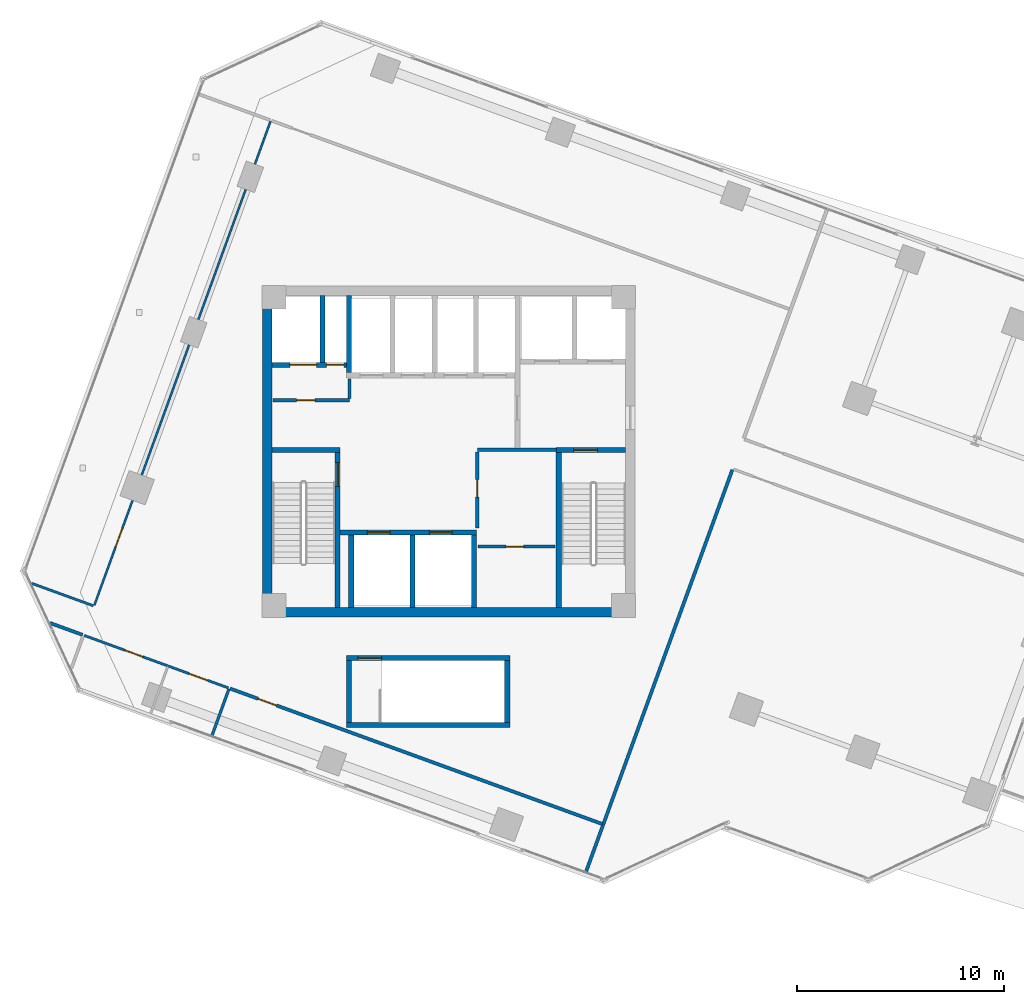
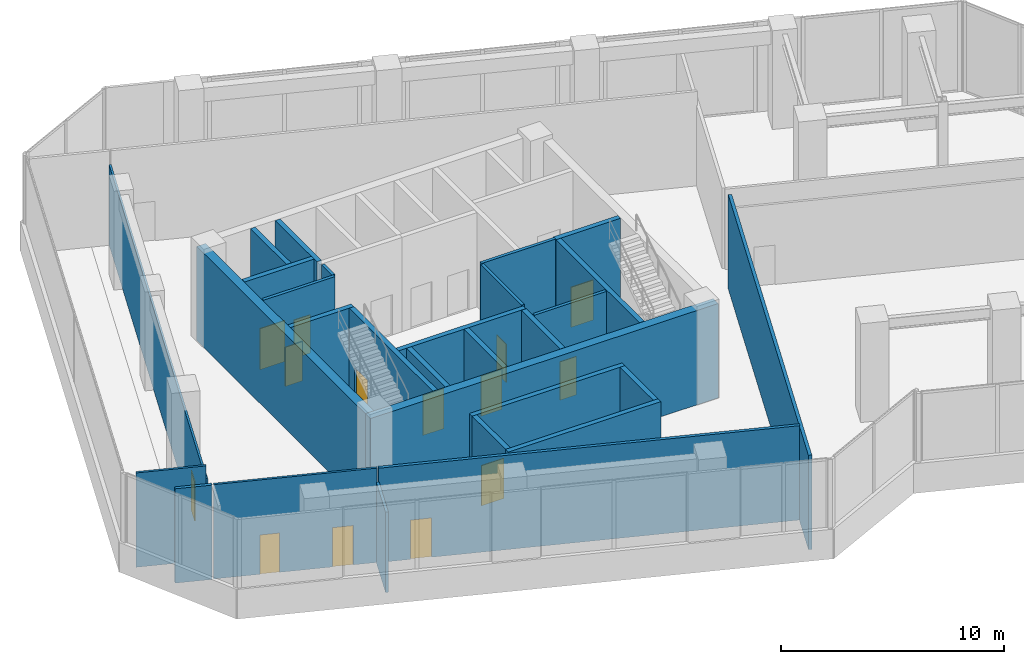
# One storey, part 16 of 21: 29 walls, 14 doors, 14 openings.
"""IFC4 building model written with IfcOpenShell, lengths in metres."""

from ifc_helpers import new_model, si_unit, direction, frame, frame_2d, origin, place, context, subcontext, project, spatial, rectangle, extrude, source, transform, mapped, material, layer, layer_set, type_object, element, fill, save


model = new_model("IFC4")

# Units and contexts
model_context = context("Model", 3, precision=1e-05, world=origin(), true_north=direction((0.0, 1.0)))
body_context = subcontext(model_context, "Body", "Model", "MODEL_VIEW")
ifc_project = project(units=[si_unit("LENGTHUNIT", "METRE"), si_unit("AREAUNIT", "SQUARE_METRE"), si_unit("VOLUMEUNIT", "CUBIC_METRE"), si_unit("PLANEANGLEUNIT", "RADIAN"), si_unit("MASSUNIT", "GRAM", prefix="KILO")], contexts=[model_context])

# Site, building, storey
site_placement = place(None, origin())
site = spatial("IfcSite", under=ifc_project, at=site_placement, CompositionType="ELEMENT")
building_placement = place(site_placement, origin())
building = spatial("IfcBuilding", under=site, at=building_placement, Name="Torre Montelarca", CompositionType="ELEMENT")
storey_placement = place(building_placement, frame((0.0, 0.0, 127.60009765625)))
storey = spatial("IfcBuildingStorey", under=building, at=storey_placement, Name="L28", CompositionType="ELEMENT", Elevation=127.60009765625)

# Wall, opening, door
ifc_material_1 = material(Name="Concrete C40/50", Category="concrete")
ifc_layer_1 = layer(ifc_material_1, 0.25, Name="Concrete C40/50", Category="concrete")
ifc_layer_set_1 = layer_set([ifc_layer_1], Name="Concrete C40/50")
wall_type_1 = type_object("IfcWallType", Name="CW-SHAFT-250", PredefinedType="SHEAR", material=ifc_layer_set_1)
wall_1_placement = place(storey_placement, frame((12.625, 24.4599609375, 0.0), z_axis=(0.0, 0.0, 1.0), x_axis=(0.0, 1.0, 0.0)))
wall_1 = element("IfcWall", 1, at=wall_1_placement, inside=storey, type_object=wall_type_1, Name="L28 Core Shear Wall SH-ST1-E", PredefinedType="SHEAR", context=body_context, shape_type="SweptSolid", body=[
    extrude(rectangle(XDim=7.489990234375, YDim=0.25, at=frame_2d((3.7451171875, 0.0))), origin(), (0.0, 0.0, 1.0), 5.159912109375),
])
opening_1_placement = place(wall_1_placement, frame((5.85009765625, 0.0, 0.0)))
opening_1 = element("IfcOpeningElement", 2, at=opening_1_placement, cuts=wall_1, Name="Opening FD-ST1", PredefinedType="OPENING", context=body_context, shape_type="SweptSolid", body=[
    extrude(rectangle(XDim=1.14990234375, YDim=2.199951171875, at=frame_2d((0.574951171875, 1.10009765625))), frame((0.0, 0.135009765625, 0.0), z_axis=(0.0, -1.0, 0.0), x_axis=(1.0, 0.0, 0.0)), (0.0, 0.0, 1.0), 0.27001953125),
])
ifc_material_2 = material(Name="Galvanized steel fire door", Category="steel")
door_type_1 = type_object("IfcDoorType", Name="DR-STAIR-115", OperationType="NOTDEFINED", PredefinedType="DOOR", material=ifc_material_2)
shared_shape_1 = source(origin(), body_context, "Body", "SweptSolid", [
    extrude(rectangle(XDim=1.14990234375, YDim=2.199951171875, at=frame_2d((0.574951171875, 1.10009765625))), frame((0.0, 0.02490234375, 0.0), z_axis=(0.0, -1.0, 0.0), x_axis=(1.0, 0.0, 0.0)), (0.0, 0.0, 1.0), 0.050048828125),
])
door_1_placement = place(opening_1_placement, origin())
door_1 = element("IfcDoor", 3, at=door_1_placement, inside=storey, type_object=door_type_1, Name="L28 Exit Stair ST1 Fire Door", OperationType="SINGLE_SWING_RIGHT", OverallHeight=2.199951171875, OverallWidth=1.14990234375, PredefinedType="DOOR", context=body_context, shape_type="MappedRepresentation", body=[
    mapped(shared_shape_1, transform((0.0, 0.0, 0.0), scale=1.0)),
])
fill(opening_1, door_1)

# Walls
wall_2_placement = place(storey_placement, frame((9.4599609375, 32.074951171875, 0.0), z_axis=(0.0, 0.0, 1.0), x_axis=(1.0, 0.0, 0.0)))
element("IfcWall", 4, at=wall_2_placement, inside=storey, type_object=wall_type_1, Name="L28 Core Shear Wall SH-ST1-N", PredefinedType="SHEAR", context=body_context, shape_type="SweptSolid", body=[
    extrude(rectangle(XDim=3.2900390625, YDim=0.25, at=frame_2d((1.64501953125, 0.0))), origin(), (0.0, 0.0, 1.0), 5.159912109375),
])
wall_3_placement = place(storey_placement, frame((23.31494140625, 24.4599609375, 0.0), z_axis=(0.0, 0.0, 1.0), x_axis=(0.0, 1.0, 0.0)))
element("IfcWall", 5, at=wall_3_placement, inside=storey, type_object=wall_type_1, Name="L28 Core Shear Wall SH-ST2-W", PredefinedType="SHEAR", context=body_context, shape_type="SweptSolid", body=[
    extrude(rectangle(XDim=7.489990234375, YDim=0.25, at=frame_2d((3.7451171875, 0.0))), origin(), (0.0, 0.0, 1.0), 5.159912109375),
])

# Wall, opening, door
wall_4_placement = place(storey_placement, frame((23.18994140625, 32.074951171875, 0.0), z_axis=(0.0, 0.0, 1.0), x_axis=(1.0, 0.0, 0.0)))
wall_4 = element("IfcWall", 6, at=wall_4_placement, inside=storey, type_object=wall_type_1, Name="L28 Core Shear Wall SH-ST2-N", PredefinedType="SHEAR", context=body_context, shape_type="SweptSolid", body=[
    extrude(rectangle(XDim=3.35009765625, YDim=0.25, at=frame_2d((1.675048828125, 0.0))), origin(), (0.0, 0.0, 1.0), 5.159912109375),
])
opening_2_placement = place(wall_4_placement, frame((0.85009765625, 0.0, 0.0)))
opening_2 = element("IfcOpeningElement", 7, at=opening_2_placement, cuts=wall_4, Name="Opening FD-ST1", PredefinedType="OPENING", context=body_context, shape_type="SweptSolid", body=[
    extrude(rectangle(XDim=1.14990234375, YDim=2.199951171875, at=frame_2d((0.574951171875, 1.10009765625))), frame((0.0, 0.135009765625, 0.0), z_axis=(0.0, -1.0, 0.0), x_axis=(1.0, 0.0, 0.0)), (0.0, 0.0, 1.0), 0.27001953125),
])
door_2_placement = place(opening_2_placement, origin())
door_2 = element("IfcDoor", 8, at=door_2_placement, inside=storey, type_object=door_type_1, Name="L28 Exit Stair ST2 Fire Door", OperationType="SINGLE_SWING_RIGHT", OverallHeight=2.199951171875, OverallWidth=1.14990234375, PredefinedType="DOOR", context=body_context, shape_type="MappedRepresentation", body=[
    mapped(shared_shape_1, transform((0.0, 0.0, 0.0), scale=1.0)),
])
fill(opening_2, door_2)

# Wall, openings, doors
wall_5_placement = place(storey_placement, frame((9.4599609375, 36.179931640625, 0.0), z_axis=(0.0, 0.0, 1.0), x_axis=(1.0, 0.0, 0.0)))
wall_5 = element("IfcWall", 9, at=wall_5_placement, inside=storey, type_object=wall_type_1, Name="L28 Core Shear Wall SH-SV1-S", PredefinedType="SHEAR", context=body_context, shape_type="SweptSolid", body=[
    extrude(rectangle(XDim=3.7900390625, YDim=0.25, at=frame_2d((1.89501953125, 0.0))), origin(), (0.0, 0.0, 1.0), 5.159912109375),
])
opening_3_placement = place(wall_5_placement, frame((2.6201171875, 0.0, 0.0)))
opening_3 = element("IfcOpeningElement", 10, at=opening_3_placement, cuts=wall_5, Name="Opening FD-085", PredefinedType="OPENING", context=body_context, shape_type="SweptSolid", body=[
    extrude(rectangle(XDim=0.85009765625, YDim=2.10009765625, at=frame_2d((0.425048828125, 1.050048828125))), frame((0.0, 0.135009765625, 0.0), z_axis=(0.0, -1.0, 0.0), x_axis=(1.0, 0.0, 0.0)), (0.0, 0.0, 1.0), 0.27001953125),
])
opening_4_placement = place(wall_5_placement, frame((0.85009765625, 0.0, 0.0)))
opening_4 = element("IfcOpeningElement", 11, at=opening_4_placement, cuts=wall_5, Name="Opening LD-130", PredefinedType="OPENING", context=body_context, shape_type="SweptSolid", body=[
    extrude(rectangle(XDim=1.300048828125, YDim=2.25, at=frame_2d((0.64990234375, 1.125))), frame((0.0, 0.135009765625, 0.0), z_axis=(0.0, -1.0, 0.0), x_axis=(1.0, 0.0, 0.0)), (0.0, 0.0, 1.0), 0.27001953125),
])
ifc_material_3 = material(Name="Steel riser access fire door", Category="steel")
door_type_2 = type_object("IfcDoorType", Name="DR-RISER-085", OperationType="NOTDEFINED", PredefinedType="DOOR", material=ifc_material_3)
shared_shape_2 = source(origin(), body_context, "Body", "SweptSolid", [
    extrude(rectangle(XDim=0.85009765625, YDim=2.10009765625, at=frame_2d((0.425048828125, 1.050048828125))), frame((0.0, 0.02490234375, 0.0), z_axis=(0.0, -1.0, 0.0), x_axis=(1.0, 0.0, 0.0)), (0.0, 0.0, 1.0), 0.050048828125),
])
door_3_placement = place(opening_3_placement, origin())
door_3 = element("IfcDoor", 12, at=door_3_placement, inside=storey, type_object=door_type_2, Name="L28 Electrical Riser Shaft Access Door", OperationType="SINGLE_SWING_RIGHT", OverallHeight=2.10009765625, OverallWidth=0.85009765625, PredefinedType="DOOR", context=body_context, shape_type="MappedRepresentation", body=[
    mapped(shared_shape_2, transform((0.0, 0.0, 0.0), scale=1.0)),
])
fill(opening_3, door_3)
ifc_material_4 = material(Name="Brushed stainless steel AISI 316", Category="steel")
door_type_3 = type_object("IfcDoorType", Name="DR-LIFT-130", OperationType="SLIDING_TO_LEFT", PredefinedType="DOOR", material=ifc_material_4)
shared_shape_3 = source(origin(), body_context, "Body", "SweptSolid", [
    extrude(rectangle(XDim=1.300048828125, YDim=2.25, at=frame_2d((0.64990234375, 1.125))), frame((0.0, 0.02490234375, 0.0), z_axis=(0.0, -1.0, 0.0), x_axis=(1.0, 0.0, 0.0)), (0.0, 0.0, 1.0), 0.050048828125),
])
door_4_placement = place(opening_4_placement, origin())
door_4 = element("IfcDoor", 13, at=door_4_placement, inside=storey, type_object=door_type_3, Name="L28 Lift Landing Sliding Door SV-1", OperationType="SLIDING_TO_LEFT", OverallHeight=2.25, OverallWidth=1.300048828125, PredefinedType="DOOR", context=body_context, shape_type="MappedRepresentation", body=[
    mapped(shared_shape_3, transform((0.0, 0.0, 0.0), scale=1.0)),
])
fill(opening_4, door_4)

# Wall
wall_6_placement = place(storey_placement, frame((11.89990234375, 36.31005859375, 0.0), z_axis=(0.0, 0.0, 1.0), x_axis=(0.0, 1.0, 0.0)))
element("IfcWall", 14, at=wall_6_placement, inside=storey, type_object=wall_type_1, Name="L28 Core Shear Wall SH-SV1-E", PredefinedType="SHEAR", context=body_context, shape_type="SweptSolid", body=[
    extrude(rectangle(XDim=3.22998046875, YDim=0.25, at=frame_2d((1.614990234375, 0.0))), origin(), (0.0, 0.0, 1.0), 5.159912109375),
])

# Wall, openings, doors
wall_7_placement = place(storey_placement, frame((12.6298828125, 28.080078125, 0.0), z_axis=(0.0, 0.0, 1.0), x_axis=(1.0, 0.0, 0.0)))
wall_7 = element("IfcWall", 15, at=wall_7_placement, inside=storey, type_object=wall_type_1, Name="L28 Core Shear Wall SH-PLL-N", PredefinedType="SHEAR", context=body_context, shape_type="SweptSolid", body=[
    extrude(rectangle(XDim=6.710205078125, YDim=0.25, at=frame_2d((3.35498046875, 0.0))), origin(), (0.0, 0.0, 1.0), 5.159912109375),
])
opening_5_placement = place(wall_7_placement, frame((1.429931640625, 0.0, 0.0)))
opening_5 = element("IfcOpeningElement", 16, at=opening_5_placement, cuts=wall_7, Name="Opening LD-110", PredefinedType="OPENING", context=body_context, shape_type="SweptSolid", body=[
    extrude(rectangle(XDim=1.10009765625, YDim=2.199951171875, at=frame_2d((0.550048828125, 1.10009765625))), frame((0.0, 0.135009765625, 0.0), z_axis=(0.0, -1.0, 0.0), x_axis=(1.0, 0.0, 0.0)), (0.0, 0.0, 1.0), 0.27001953125),
])
opening_6_placement = place(wall_7_placement, frame((4.429931640625, 0.0, 0.0)))
opening_6 = element("IfcOpeningElement", 17, at=opening_6_placement, cuts=wall_7, Name="Opening LD-110", PredefinedType="OPENING", context=body_context, shape_type="SweptSolid", body=[
    extrude(rectangle(XDim=1.10009765625, YDim=2.199951171875, at=frame_2d((0.550048828125, 1.10009765625))), frame((0.0, 0.135009765625, 0.0), z_axis=(0.0, -1.0, 0.0), x_axis=(1.0, 0.0, 0.0)), (0.0, 0.0, 1.0), 0.27001953125),
])
door_type_4 = type_object("IfcDoorType", Name="DR-LIFT-110", OperationType="SLIDING_TO_LEFT", PredefinedType="DOOR", material=ifc_material_4)
shared_shape_4 = source(origin(), body_context, "Body", "SweptSolid", [
    extrude(rectangle(XDim=1.10009765625, YDim=2.199951171875, at=frame_2d((0.550048828125, 1.10009765625))), frame((0.0, 0.02490234375, 0.0), z_axis=(0.0, -1.0, 0.0), x_axis=(1.0, 0.0, 0.0)), (0.0, 0.0, 1.0), 0.050048828125),
])
door_5_placement = place(opening_5_placement, origin())
door_5 = element("IfcDoor", 18, at=door_5_placement, inside=storey, type_object=door_type_4, Name="L28 Lift Landing Sliding Door PL-L1", OperationType="SLIDING_TO_LEFT", OverallHeight=2.199951171875, OverallWidth=1.10009765625, PredefinedType="DOOR", context=body_context, shape_type="MappedRepresentation", body=[
    mapped(shared_shape_4, transform((0.0, 0.0, 0.0), scale=1.0)),
])
fill(opening_5, door_5)
door_6_placement = place(opening_6_placement, origin())
door_6 = element("IfcDoor", 19, at=door_6_placement, inside=storey, type_object=door_type_4, Name="L28 Lift Landing Sliding Door PL-L2", OperationType="SLIDING_TO_RIGHT", OverallHeight=2.199951171875, OverallWidth=1.10009765625, PredefinedType="DOOR", context=body_context, shape_type="MappedRepresentation", body=[
    mapped(shared_shape_4, transform((0.0, 0.0, 0.0), scale=1.0)),
])
fill(opening_6, door_6)

# Walls
for number, where, z_axis, x_axis, name in (
    (20, (13.280029296875, 24.4599609375, 0.0), (0.0, 0.0, 1.0), (0.0, 1.0, 0.0), "L28 Core Shear Wall SH-PLL-W"),
    (21, (16.25, 24.4599609375, 0.0), (0.0, 0.0, 1.0), (0.0, 1.0, 0.0), "L28 Core Shear Wall SH-PLL-M"),
    (22, (19.219970703125, 24.4599609375, 0.0), (0.0, 0.0, 1.0), (0.0, 1.0, 0.0), "L28 Core Shear Wall SH-PLL-E"),
):
    element("IfcWall", number, at=place(storey_placement, frame(where, z_axis=z_axis, x_axis=x_axis)), inside=storey, type_object=wall_type_1, Name=name, PredefinedType="SHEAR", context=body_context, shape_type="SweptSolid", body=[
        extrude(rectangle(XDim=3.489990234375, YDim=0.25, at=frame_2d((1.7451171875, 0.0))), origin(), (0.0, 0.0, 1.0), 5.159912109375),
    ])
wall_8_placement = place(storey_placement, frame((13.179931640625, 35.81005859375, 0.0), z_axis=(0.0, 0.0, 1.0), x_axis=(0.0, 1.0, 0.0)))
element("IfcWall", 23, at=wall_8_placement, inside=storey, type_object=wall_type_1, Name="L28 Core Shear Wall SH-PLM-W", PredefinedType="SHEAR", context=body_context, shape_type="SweptSolid", body=[
    extrude(rectangle(XDim=3.72998046875, YDim=0.25, at=frame_2d((1.864990234375, 0.0))), origin(), (0.0, 0.0, 1.0), 5.159912109375),
])
for number, where, z_axis, x_axis, name in (
    (24, (13.175048828125, 18.89990234375, 0.0), (0.0, 0.0, 1.0), (0.0, 1.0, 0.0), "L28 Core Shear Wall SH-ST3-W"),
    (25, (20.824951171875, 18.89990234375, 0.0), (0.0, 0.0, 1.0), (0.0, 1.0, 0.0), "L28 Core Shear Wall SH-ST3-E"),
):
    element("IfcWall", number, at=place(storey_placement, frame(where, z_axis=z_axis, x_axis=x_axis)), inside=storey, type_object=wall_type_1, Name=name, PredefinedType="SHEAR", context=body_context, shape_type="SweptSolid", body=[
        extrude(rectangle(XDim=2.989990234375, YDim=0.25, at=frame_2d((1.4951171875, 0.0))), origin(), (0.0, 0.0, 1.0), 5.159912109375),
    ])
wall_9_placement = place(storey_placement, frame((13.050048828125, 18.77490234375, 0.0), z_axis=(0.0, 0.0, 1.0), x_axis=(1.0, 0.0, 0.0)))
element("IfcWall", 26, at=wall_9_placement, inside=storey, type_object=wall_type_1, Name="L28 Core Shear Wall SH-ST3-S", PredefinedType="SHEAR", context=body_context, shape_type="SweptSolid", body=[
    extrude(rectangle(XDim=7.89990234375, YDim=0.25, at=frame_2d((3.949951171875, 0.0))), origin(), (0.0, 0.0, 1.0), 5.159912109375),
])

# Wall, opening, door
wall_10_placement = place(storey_placement, frame((13.050048828125, 22.014892578125, 0.0), z_axis=(0.0, 0.0, 1.0), x_axis=(1.0, 0.0, 0.0)))
wall_10 = element("IfcWall", 27, at=wall_10_placement, inside=storey, type_object=wall_type_1, Name="L28 Core Shear Wall SH-ST3-N", PredefinedType="SHEAR", context=body_context, shape_type="SweptSolid", body=[
    extrude(rectangle(XDim=7.89990234375, YDim=0.25, at=frame_2d((3.949951171875, 0.0))), origin(), (0.0, 0.0, 1.0), 5.159912109375),
])
opening_7_placement = place(wall_10_placement, frame((0.550048828125, 0.0, 0.0)))
opening_7 = element("IfcOpeningElement", 28, at=opening_7_placement, cuts=wall_10, Name="Opening FD-ST1", PredefinedType="OPENING", context=body_context, shape_type="SweptSolid", body=[
    extrude(rectangle(XDim=1.14990234375, YDim=2.199951171875, at=frame_2d((0.574951171875, 1.10009765625))), frame((0.0, 0.135009765625, 0.0), z_axis=(0.0, -1.0, 0.0), x_axis=(1.0, 0.0, 0.0)), (0.0, 0.0, 1.0), 0.27001953125),
])
door_7_placement = place(opening_7_placement, origin())
door_7 = element("IfcDoor", 29, at=door_7_placement, inside=storey, type_object=door_type_1, Name="L28 Exit Stair ST3 Fire Door", OperationType="SINGLE_SWING_LEFT", OverallHeight=2.199951171875, OverallWidth=1.14990234375, PredefinedType="DOOR", context=body_context, shape_type="MappedRepresentation", body=[
    mapped(shared_shape_1, transform((0.0, 0.0, 0.0), scale=1.0)),
])
fill(opening_7, door_7)

# Walls
ifc_material_5 = material(Name="Concrete C55/67", Category="concrete")
ifc_layer_2 = layer(ifc_material_5, 0.449951171875, Name="Concrete C55/67", Category="concrete")
ifc_layer_set_2 = layer_set([ifc_layer_2], Name="Concrete C55/67")
wall_type_2 = type_object("IfcWallType", Name="CW-SHEAR-450", PredefinedType="SHEAR", material=ifc_layer_set_2)
wall_11_placement = place(storey_placement, frame((9.22509765625, 24.449951171875, 0.0), z_axis=(0.0, 0.0, 1.0), x_axis=(0.0, 1.0, 0.0)))
element("IfcWall", 30, at=wall_11_placement, inside=storey, type_object=wall_type_2, Name="L28 Core Shear Wall CW-W", PredefinedType="SHEAR", context=body_context, shape_type="SweptSolid", body=[
    extrude(rectangle(XDim=15.10009765625, YDim=0.449951171875, at=frame_2d((7.550048828125, 0.0))), origin(), (0.0, 0.0, 1.0), 5.159912109375),
])
wall_12_placement = place(storey_placement, frame((9.0, 24.22509765625, 0.0), z_axis=(0.0, 0.0, 1.0), x_axis=(1.0, 0.0, 0.0)))
element("IfcWall", 31, at=wall_12_placement, inside=storey, type_object=wall_type_2, Name="L28 Core Shear Wall CW-S1", PredefinedType="SHEAR", context=body_context, shape_type="SweptSolid", body=[
    extrude(rectangle(XDim=18.0, YDim=0.449951171875, at=frame_2d((9.0, 0.0))), origin(), (0.0, 0.0, 1.0), 5.159912109375),
])

# Wall, opening, door
ifc_material_6 = material(Name="Gypsum plasterboard on steel stud", Category="steel")
ifc_layer_3 = layer(ifc_material_6, 0.159912109375, Name="Gypsum plasterboard on steel stud", Category="steel")
ifc_layer_set_3 = layer_set([ifc_layer_3], Name="Gypsum plasterboard on steel stud")
wall_type_3 = type_object("IfcWallType", Name="PW-FIRE-160", PredefinedType="PARTITIONING", material=ifc_layer_set_3)
wall_13_placement = place(storey_placement, frame((9.489990234375, 34.47998046875, 0.0), z_axis=(0.0, 0.0, 1.0), x_axis=(1.0, 0.0, 0.0)))
wall_13 = element("IfcWall", 32, at=wall_13_placement, inside=storey, type_object=wall_type_3, Name="L28 Interior Partition CW-L28-SVS", PredefinedType="PARTITIONING", context=body_context, shape_type="SweptSolid", body=[
    extrude(rectangle(XDim=3.699951171875, YDim=0.159912109375, at=frame_2d((1.85009765625, 0.0))), origin(), (0.0, 0.0, 1.0), 5.159912109375),
])
opening_8_placement = place(wall_13_placement, frame((1.14990234375, 0.0, 0.0)))
opening_8 = element("IfcOpeningElement", 33, at=opening_8_placement, cuts=wall_13, Name="Opening FD-090", PredefinedType="OPENING", context=body_context, shape_type="SweptSolid", body=[
    extrude(rectangle(XDim=0.89990234375, YDim=2.14990234375, at=frame_2d((0.449951171875, 1.074951171875))), frame((0.0, 0.08984375, 0.0), z_axis=(0.0, -1.0, 0.0), x_axis=(1.0, 0.0, 0.0)), (0.0, 0.0, 1.0), 0.179931640625),
])
ifc_material_7 = material(Name="Steel service fire door", Category="steel")
door_type_5 = type_object("IfcDoorType", Name="DR-FIRE-090", OperationType="NOTDEFINED", PredefinedType="DOOR", material=ifc_material_7)
shared_shape_5 = source(origin(), body_context, "Body", "SweptSolid", [
    extrude(rectangle(XDim=0.89990234375, YDim=2.14990234375, at=frame_2d((0.449951171875, 1.074951171875))), frame((0.0, 0.02490234375, 0.0), z_axis=(0.0, -1.0, 0.0), x_axis=(1.0, 0.0, 0.0)), (0.0, 0.0, 1.0), 0.050048828125),
])
door_8_placement = place(opening_8_placement, origin())
door_8 = element("IfcDoor", 34, at=door_8_placement, inside=storey, type_object=door_type_5, Name="L28 Interior Door 01", OperationType="SINGLE_SWING_RIGHT", OverallHeight=2.14990234375, OverallWidth=0.89990234375, PredefinedType="DOOR", context=body_context, shape_type="MappedRepresentation", body=[
    mapped(shared_shape_5, transform((0.0, 0.0, 0.0), scale=1.0)),
])
fill(opening_8, door_8)

# Walls
wall_14_placement = place(storey_placement, frame((13.199951171875, 34.570068359375, 0.0), z_axis=(0.0, 0.0, 1.0), x_axis=(0.0, 1.0, 0.0)))
element("IfcWall", 35, at=wall_14_placement, inside=storey, type_object=wall_type_3, Name="L28 Interior Partition CW-L28-SVE", PredefinedType="PARTITIONING", context=body_context, shape_type="SweptSolid", body=[
    extrude(rectangle(XDim=0.93994140625, YDim=0.159912109375, at=frame_2d((0.469970703125, 0.0))), origin(), (0.0, 0.0, 1.0), 5.159912109375),
])
wall_15_placement = place(storey_placement, frame((19.389892578125, 32.080078125, 0.0), z_axis=(0.0, 0.0, 1.0), x_axis=(1.0, 0.0, 0.0)))
element("IfcWall", 36, at=wall_15_placement, inside=storey, type_object=wall_type_3, Name="L28 Interior Partition CW-L28-SEN", PredefinedType="PARTITIONING", context=body_context, shape_type="SweptSolid", body=[
    extrude(rectangle(XDim=3.820068359375, YDim=0.159912109375, at=frame_2d((1.91015625, 0.0))), origin(), (0.0, 0.0, 1.0), 5.159912109375),
])

# Wall, opening, door
wall_16_placement = place(storey_placement, frame((19.3798828125, 28.2900390625, 0.0), z_axis=(0.0, 0.0, 1.0), x_axis=(0.0, 1.0, 0.0)))
wall_16 = element("IfcWall", 37, at=wall_16_placement, inside=storey, type_object=wall_type_3, Name="L28 Interior Partition CW-L28-SEW", PredefinedType="PARTITIONING", context=body_context, shape_type="SweptSolid", body=[
    extrude(rectangle(XDim=3.669921875, YDim=0.159912109375, at=frame_2d((1.8349609375, 0.0))), origin(), (0.0, 0.0, 1.0), 5.159912109375),
])
opening_9_placement = place(wall_16_placement, frame((1.5, 0.0, 0.0)))
opening_9 = element("IfcOpeningElement", 38, at=opening_9_placement, cuts=wall_16, Name="Opening FD-085", PredefinedType="OPENING", context=body_context, shape_type="SweptSolid", body=[
    extrude(rectangle(XDim=0.85009765625, YDim=2.10009765625, at=frame_2d((0.425048828125, 1.050048828125))), frame((0.0, 0.08984375, 0.0), z_axis=(0.0, -1.0, 0.0), x_axis=(1.0, 0.0, 0.0)), (0.0, 0.0, 1.0), 0.179931640625),
])
door_9_placement = place(opening_9_placement, origin())
door_9 = element("IfcDoor", 39, at=door_9_placement, inside=storey, type_object=door_type_2, Name="L28 Interior Door 03", OperationType="SINGLE_SWING_RIGHT", OverallHeight=2.10009765625, OverallWidth=0.85009765625, PredefinedType="DOOR", context=body_context, shape_type="MappedRepresentation", body=[
    mapped(shared_shape_2, transform((0.0, 0.0, 0.0), scale=1.0)),
])
fill(opening_9, door_9)

wall_17_placement = place(storey_placement, frame((19.419921875, 27.39990234375, 0.0), z_axis=(0.0, 0.0, 1.0), x_axis=(1.0, 0.0, 0.0)))
wall_17 = element("IfcWall", 40, at=wall_17_placement, inside=storey, type_object=wall_type_3, Name="L28 Interior Partition CW-L28-SEM1", PredefinedType="PARTITIONING", context=body_context, shape_type="SweptSolid", body=[
    extrude(rectangle(XDim=3.719970703125, YDim=0.159912109375, at=frame_2d((1.85986328125, 0.0))), origin(), (0.0, 0.0, 1.0), 5.159912109375),
])
opening_10_placement = place(wall_17_placement, frame((1.35009765625, 0.0, 0.0)))
opening_10 = element("IfcOpeningElement", 41, at=opening_10_placement, cuts=wall_17, Name="Opening FD-085", PredefinedType="OPENING", context=body_context, shape_type="SweptSolid", body=[
    extrude(rectangle(XDim=0.85009765625, YDim=2.10009765625, at=frame_2d((0.425048828125, 1.050048828125))), frame((0.0, 0.08984375, 0.0), z_axis=(0.0, -1.0, 0.0), x_axis=(1.0, 0.0, 0.0)), (0.0, 0.0, 1.0), 0.179931640625),
])
door_10_placement = place(opening_10_placement, origin())
door_10 = element("IfcDoor", 42, at=door_10_placement, inside=storey, type_object=door_type_2, Name="L28 Interior Door 02", OperationType="SINGLE_SWING_LEFT", OverallHeight=2.10009765625, OverallWidth=0.85009765625, PredefinedType="DOOR", context=body_context, shape_type="MappedRepresentation", body=[
    mapped(shared_shape_2, transform((0.0, 0.0, 0.0), scale=1.0)),
])
fill(opening_10, door_10)

# Wall
wall_18_placement = place(storey_placement, frame((-1.2841796875, 23.7021484375, 0.0), z_axis=(0.0, 0.0, 1.0), x_axis=(0.939708634779, -0.341976142036, 0.0)))
element("IfcWall", 43, at=wall_18_placement, inside=storey, type_object=wall_type_3, Name="L28 Interior Partition W-L28-SOCCW", PredefinedType="PARTITIONING", context=body_context, shape_type="SweptSolid", body=[
    extrude(rectangle(XDim=1.681884765625, YDim=0.159912109375, at=frame_2d((0.8408203125, 0.0))), origin(), (0.0, 0.0, 1.0), 5.159912109375),
])

# Wall, opening, door
wall_19_placement = place(storey_placement, frame((7.41943359375, 20.534423828125, 0.0), z_axis=(0.0, 0.0, 1.0), x_axis=(0.939690753226, -0.34202527436, 0.0)))
wall_19 = element("IfcWall", 44, at=wall_19_placement, inside=storey, type_object=wall_type_3, Name="L28 Interior Partition W-L28-SOCCN", PredefinedType="PARTITIONING", context=body_context, shape_type="SweptSolid", body=[
    extrude(rectangle(XDim=19.170166015625, YDim=0.159912109375, at=frame_2d((9.5849609375, 0.0))), origin(), (0.0, 0.0, 1.0), 5.159912109375),
])
opening_11_placement = place(wall_19_placement, frame((1.449951171875, 0.0, 0.0)))
opening_11 = element("IfcOpeningElement", 45, at=opening_11_placement, cuts=wall_19, Name="Opening FD-095", PredefinedType="OPENING", context=body_context, shape_type="SweptSolid", body=[
    extrude(rectangle(XDim=0.949951171875, YDim=2.14990234375, at=frame_2d((0.47509765625, 1.074951171875))), frame((0.0, 0.08984375, 0.0), z_axis=(0.0, -1.0, 0.0), x_axis=(1.0, 0.0, 0.0)), (0.0, 0.0, 1.0), 0.179931640625),
])
ifc_material_8 = material(Name="Timber fire-rated room door", Category="wood")
door_type_6 = type_object("IfcDoorType", Name="DR-FIRE-095", OperationType="NOTDEFINED", PredefinedType="DOOR", material=ifc_material_8)
shared_shape_6 = source(origin(), body_context, "Body", "SweptSolid", [
    extrude(rectangle(XDim=0.949951171875, YDim=2.14990234375, at=frame_2d((0.47509765625, 1.074951171875))), frame((0.0, 0.02490234375, 0.0), z_axis=(0.0, -1.0, 0.0), x_axis=(1.0, 0.0, 0.0)), (0.0, 0.0, 1.0), 0.050048828125),
])
door_11_placement = place(opening_11_placement, origin())
door_11 = element("IfcDoor", 46, at=door_11_placement, inside=storey, type_object=door_type_6, Name="L28 Interior Door 06", OperationType="SINGLE_SWING_RIGHT", OverallHeight=2.14990234375, OverallWidth=0.949951171875, PredefinedType="DOOR", context=body_context, shape_type="MappedRepresentation", body=[
    mapped(shared_shape_6, transform((0.0, 0.0, 0.0), scale=1.0)),
])
fill(opening_11, door_11)

# Wall
wall_20_placement = place(storey_placement, frame((24.639892578125, 11.680908203125, 0.0), z_axis=(0.0, 0.0, 1.0), x_axis=(0.342014151498, 0.939694801611, 0.0)))
element("IfcWall", 47, at=wall_20_placement, inside=storey, type_object=wall_type_3, Name="L28 Interior Partition W-L28-ECS", PredefinedType="PARTITIONING", context=body_context, shape_type="SweptSolid", body=[
    extrude(rectangle(XDim=20.6796875, YDim=0.159912109375, at=frame_2d((10.33984375, 0.0))), origin(), (0.0, 0.0, 1.0), 5.159912109375),
])

# Wall, opening, door
ifc_material_9 = material(Name="Acoustic laminated glass partition", Category="glass")
ifc_layer_4 = layer(ifc_material_9, 0.10009765625, Name="Acoustic laminated glass partition", Category="glass")
ifc_layer_set_4 = layer_set([ifc_layer_4], Name="Acoustic laminated glass partition")
wall_type_4 = type_object("IfcWallType", Name="PW-GLAZ-100", PredefinedType="PARTITIONING", material=ifc_layer_set_4)
wall_21_placement = place(storey_placement, frame((0.86083984375, 24.560302734375, 0.0), z_axis=(0.0, 0.0, 1.0), x_axis=(0.342022409736, 0.939691795877, 0.0)))
wall_21 = element("IfcWall", 48, at=wall_21_placement, inside=storey, type_object=wall_type_4, Name="L28 Interior Partition W-L28-WWGE", PredefinedType="PARTITIONING", context=body_context, shape_type="SweptSolid", body=[
    extrude(rectangle(XDim=24.909912109375, YDim=0.10009765625, at=frame_2d((12.455078125, 0.0))), origin(), (0.0, 0.0, 1.0), 4.39501953125),
])
opening_12_placement = place(wall_21_placement, frame((3.0, 0.0, 0.0)))
opening_12 = element("IfcOpeningElement", 49, at=opening_12_placement, cuts=wall_21, Name="Opening ID-095", PredefinedType="OPENING", context=body_context, shape_type="SweptSolid", body=[
    extrude(rectangle(XDim=0.949951171875, YDim=2.14990234375, at=frame_2d((0.47509765625, 1.074951171875))), frame((0.0, 0.06005859375, 0.0), z_axis=(0.0, -1.0, 0.0), x_axis=(1.0, 0.0, 0.0)), (0.0, 0.0, 1.0), 0.1201171875),
])
ifc_material_10 = material(Name="Hardwood acoustic timber veneer", Category="wood")
door_type_7 = type_object("IfcDoorType", Name="DR-INT-095", OperationType="NOTDEFINED", PredefinedType="DOOR", material=ifc_material_10)
shared_shape_7 = source(origin(), body_context, "Body", "SweptSolid", [
    extrude(rectangle(XDim=0.949951171875, YDim=2.14990234375, at=frame_2d((0.47509765625, 1.074951171875))), frame((0.0, 0.02490234375, 0.0), z_axis=(0.0, -1.0, 0.0), x_axis=(1.0, 0.0, 0.0)), (0.0, 0.0, 1.0), 0.050048828125),
])
door_12_placement = place(opening_12_placement, origin())
door_12 = element("IfcDoor", 50, at=door_12_placement, inside=storey, type_object=door_type_7, Name="L28 Interior Door 08", OperationType="SINGLE_SWING_LEFT", OverallHeight=2.14990234375, OverallWidth=0.949951171875, PredefinedType="DOOR", context=body_context, shape_type="MappedRepresentation", body=[
    mapped(shared_shape_7, transform((0.0, 0.0, 0.0), scale=1.0)),
])
fill(opening_12, door_12)

# Wall, openings, doors
ifc_layer_5 = layer(ifc_material_6, 0.114990234375, Name="Gypsum plasterboard on steel stud", Category="steel")
ifc_layer_set_5 = layer_set([ifc_layer_5], Name="Gypsum plasterboard on steel stud")
wall_type_5 = type_object("IfcWallType", Name="PW-PART-115", PredefinedType="PARTITIONING", material=ifc_layer_set_5)
wall_22_placement = place(storey_placement, frame((0.37158203125, 23.099609375, 0.0), z_axis=(0.0, 0.0, 1.0), x_axis=(0.939692513883, -0.342020437038, 0.0)))
wall_22 = element("IfcWall", 51, at=wall_22_placement, inside=storey, type_object=wall_type_5, Name="L28 Interior Partition W-L28-WCN", PredefinedType="PARTITIONING", context=body_context, shape_type="SweptSolid", body=[
    extrude(rectangle(XDim=7.420166015625, YDim=0.114990234375, at=frame_2d((3.7099609375, 0.0))), origin(), (0.0, 0.0, 1.0), 5.159912109375),
])
opening_13_placement = place(wall_22_placement, frame((2.10009765625, 0.0, 0.0)))
opening_13 = element("IfcOpeningElement", 52, at=opening_13_placement, cuts=wall_22, Name="Opening ID-090", PredefinedType="OPENING", context=body_context, shape_type="SweptSolid", body=[
    extrude(rectangle(XDim=0.89990234375, YDim=2.14990234375, at=frame_2d((0.449951171875, 1.074951171875))), frame((0.0, 0.0673828125, 0.0), z_axis=(0.0, -1.0, 0.0), x_axis=(1.0, 0.0, 0.0)), (0.0, 0.0, 1.0), 0.135009765625),
])
opening_14_placement = place(wall_22_placement, frame((5.39990234375, 0.0, 0.0)))
opening_14 = element("IfcOpeningElement", 53, at=opening_14_placement, cuts=wall_22, Name="Opening ID-095", PredefinedType="OPENING", context=body_context, shape_type="SweptSolid", body=[
    extrude(rectangle(XDim=0.949951171875, YDim=2.14990234375, at=frame_2d((0.47509765625, 1.074951171875))), frame((0.0, 0.0673828125, 0.0), z_axis=(0.0, -1.0, 0.0), x_axis=(1.0, 0.0, 0.0)), (0.0, 0.0, 1.0), 0.135009765625),
])
door_type_8 = type_object("IfcDoorType", Name="DR-INT-090", OperationType="NOTDEFINED", PredefinedType="DOOR", material=ifc_material_10)
shared_shape_8 = source(origin(), body_context, "Body", "SweptSolid", [
    extrude(rectangle(XDim=0.89990234375, YDim=2.14990234375, at=frame_2d((0.449951171875, 1.074951171875))), frame((0.0, 0.02490234375, 0.0), z_axis=(0.0, -1.0, 0.0), x_axis=(1.0, 0.0, 0.0)), (0.0, 0.0, 1.0), 0.050048828125),
])
door_13_placement = place(opening_13_placement, origin())
door_13 = element("IfcDoor", 54, at=door_13_placement, inside=storey, type_object=door_type_8, Name="L28 Interior Door 04", OperationType="SINGLE_SWING_LEFT", OverallHeight=2.14990234375, OverallWidth=0.89990234375, PredefinedType="DOOR", context=body_context, shape_type="MappedRepresentation", body=[
    mapped(shared_shape_8, transform((0.0, 0.0, 0.0), scale=1.0)),
])
fill(opening_13, door_13)
door_14_placement = place(opening_14_placement, origin())
door_14 = element("IfcDoor", 55, at=door_14_placement, inside=storey, type_object=door_type_7, Name="L28 Interior Door 05", OperationType="SINGLE_SWING_RIGHT", OverallHeight=2.14990234375, OverallWidth=0.949951171875, PredefinedType="DOOR", context=body_context, shape_type="MappedRepresentation", body=[
    mapped(shared_shape_7, transform((0.0, 0.0, 0.0), scale=1.0)),
])
fill(opening_14, door_14)

# Walls
wall_23_placement = place(storey_placement, frame((-2.1806640625, 25.624755859375, 0.0), z_axis=(0.0, 0.0, 1.0), x_axis=(0.939714994714, -0.341958665206, 0.0)))
element("IfcWall", 56, at=wall_23_placement, inside=storey, type_object=wall_type_5, Name="L28 Interior Partition W-L28-WWGS", PredefinedType="PARTITIONING", context=body_context, shape_type="SweptSolid", body=[
    extrude(rectangle(XDim=3.18212890625, YDim=0.114990234375, at=frame_2d((1.591064453125, 0.0))), origin(), (0.0, 0.0, 1.0), 5.159912109375),
])
ifc_layer_6 = layer(ifc_material_6, 0.135009765625, Name="Gypsum plasterboard on steel stud", Category="steel")
ifc_layer_set_6 = layer_set([ifc_layer_6], Name="Gypsum plasterboard on steel stud")
wall_type_6 = type_object("IfcWallType", Name="PW-PART-135", PredefinedType="PARTITIONING", material=ifc_layer_set_6)
wall_24_placement = place(storey_placement, frame((6.55078125, 18.2646484375, 0.0), z_axis=(0.0, 0.0, 1.0), x_axis=(0.342005513766, 0.939697945381, 0.0)))
element("IfcWall", 57, at=wall_24_placement, inside=storey, type_object=wall_type_6, Name="L28 Interior Partition W-L28-SWCDIV", PredefinedType="PARTITIONING", context=body_context, shape_type="SweptSolid", body=[
    extrude(rectangle(XDim=2.389892578125, YDim=0.135009765625, at=frame_2d((1.19482421875, 0.0))), origin(), (0.0, 0.0, 1.0), 4.39501953125),
])

save(model, "model.ifc")
